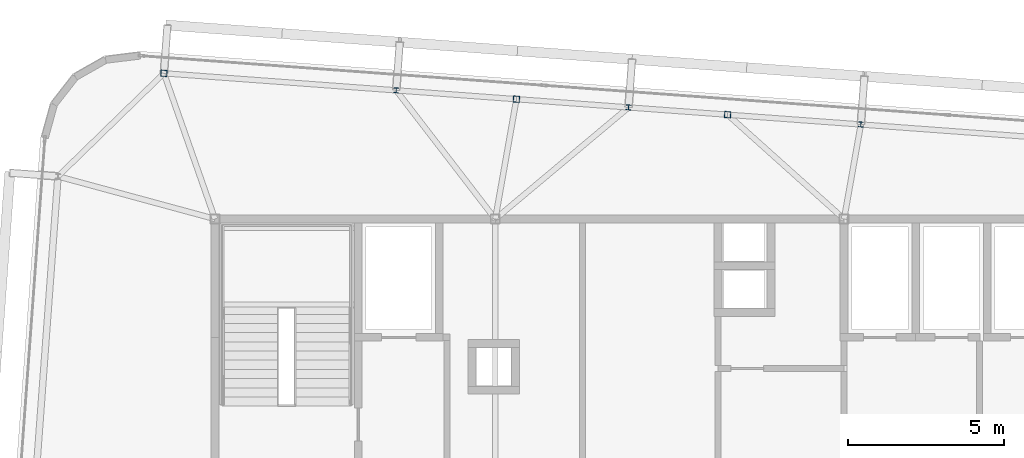
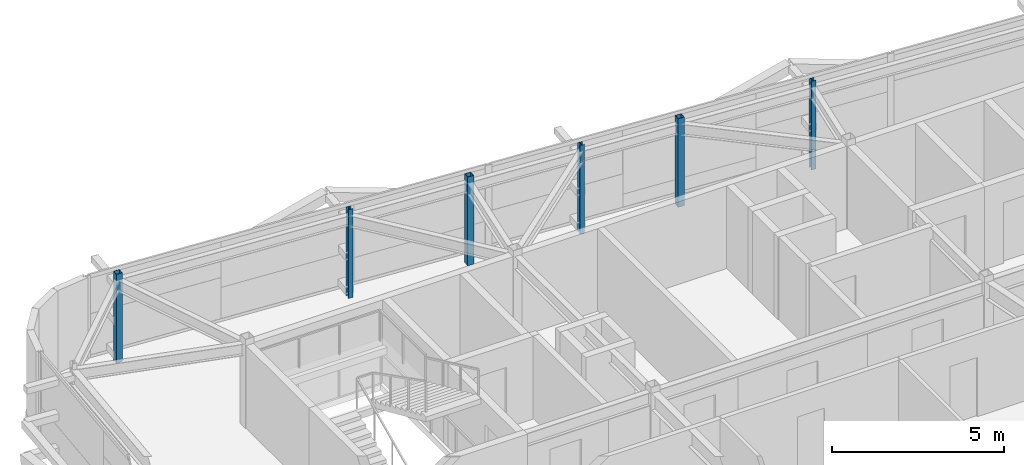
# One storey, part 7 of 34: 6 columns.
"""IFC4 building model written with IfcOpenShell, lengths in metres."""

from ifc_helpers import new_model, si_unit, direction, frame, origin, origin_2d, place, context, subcontext, project, spatial, hollow_rectangle, i_section, extrude, source, transform, mapped, material, material_profile, profile_set, type_object, element, save


model = new_model("IFC4")

# Units and contexts
model_context = context("Model", 3, precision=1e-05, world=origin(), true_north=direction((0.0, 1.0)))
body_context = subcontext(model_context, "Body", "Model", "MODEL_VIEW")
ifc_project = project(units=[si_unit("LENGTHUNIT", "METRE"), si_unit("AREAUNIT", "SQUARE_METRE"), si_unit("VOLUMEUNIT", "CUBIC_METRE"), si_unit("PLANEANGLEUNIT", "RADIAN"), si_unit("MASSUNIT", "GRAM", prefix="KILO")], contexts=[model_context])

# Site, building, storey
site_placement = place(None, origin())
site = spatial("IfcSite", under=ifc_project, at=site_placement, CompositionType="ELEMENT")
building_placement = place(site_placement, origin())
building = spatial("IfcBuilding", under=site, at=building_placement, Name="Taldren Reach Tower", CompositionType="ELEMENT")
storey_placement = place(building_placement, frame((0.0, 0.0, 242.89990234375)))
storey = spatial("IfcBuildingStorey", under=building, at=storey_placement, Name="L74", CompositionType="ELEMENT", Elevation=242.89990234375)

# Columns
ifc_material_1 = material(Name="Steel Gr 350 (C350L0)", Category="steel")
ifc_material_profile_1 = material_profile(ifc_material_1, hollow_rectangle(XDim=0.199951171875, YDim=0.199951171875, WallThickness=0.009033203125, at=origin_2d()), Name="200x200x9.0SHS")
ifc_profile_set_1 = profile_set([ifc_material_profile_1], Name="Steel Gr 350 (C350L0)")
column_type_1 = type_object("IfcColumnType", Name="COL-SHS200", PredefinedType="COLUMN", material=ifc_profile_set_1)
shared_shape_1 = source(origin(), body_context, "Body", "SweptSolid", [
    extrude(hollow_rectangle(XDim=0.199951171875, YDim=0.199951171875, WallThickness=0.009033203125, at=origin_2d()), origin(), (0.0, 0.0, 1.0), 3.150146484375),
])
for number, where, z_axis, x_axis, name in (
    (1, (17.35986328125, 36.678955078125, 0.0), (0.0, 0.0, 1.0), (0.997314477224, -0.073238197128, 0.0), "Block B5 perimeter column N1 L74"),
    (2, (28.67919921875, 35.84765625, 0.0), (0.0, 0.0, 1.0), (0.997314477224, -0.073238197128, 0.0), "Block B5 perimeter column PJN1 L74"),
    (3, (35.4609375, 35.349609375, 0.0), (0.0, 0.0, 1.0), (0.997314477224, -0.073238197128, 0.0), "Block B5 perimeter column PJN2 L74"),
):
    element("IfcColumn", number, at=place(storey_placement, frame(where, z_axis=z_axis, x_axis=x_axis)), inside=storey, type_object=column_type_1, Name=name, PredefinedType="COLUMN", context=body_context, shape_type="MappedRepresentation", body=[
        mapped(shared_shape_1, transform((0.0, 0.0, 0.0), scale=1.0)),
    ])
ifc_material_2 = material(Name="Steel Gr 350 (350PLUS)", Category="steel")
ifc_material_profile_2 = material_profile(ifc_material_2, i_section(OverallWidth=0.154052734375, OverallDepth=0.162109375, WebThickness=0.008056640625, FlangeThickness=0.011474609375, at=origin_2d()), Name="150UC37.2")
ifc_profile_set_2 = profile_set([ifc_material_profile_2], Name="Steel Gr 350 (350PLUS)")
column_type_2 = type_object("IfcColumnType", Name="COL-UC150", PredefinedType="COLUMN", material=ifc_profile_set_2)
shared_shape_2 = source(origin(), body_context, "Body", "SweptSolid", [
    extrude(i_section(OverallWidth=0.154052734375, OverallDepth=0.162109375, WebThickness=0.008056640625, FlangeThickness=0.011474609375, at=origin_2d()), origin(), (0.0, 0.0, 1.0), 3.150146484375),
])
for number, where, z_axis, x_axis, name in (
    (4, (24.819580078125, 36.131103515625, 0.0), (0.0, 0.0, 1.0), (0.997314477224, -0.073238197128, 0.0), "Block B5 perimeter column N2 L74"),
    (5, (32.279541015625, 35.583251953125, 0.0), (0.0, 0.0, 1.0), (0.997314477224, -0.073238197128, 0.0), "Block B5 perimeter column N3 L74"),
    (6, (39.739501953125, 35.035400390625, 0.0), (0.0, 0.0, 1.0), (0.997314477224, -0.073238197128, 0.0), "Block B5 perimeter column N4 L74"),
):
    element("IfcColumn", number, at=place(storey_placement, frame(where, z_axis=z_axis, x_axis=x_axis)), inside=storey, type_object=column_type_2, Name=name, PredefinedType="COLUMN", context=body_context, shape_type="MappedRepresentation", body=[
        mapped(shared_shape_2, transform((0.0, 0.0, 0.0), scale=1.0)),
    ])

save(model, "model.ifc")
